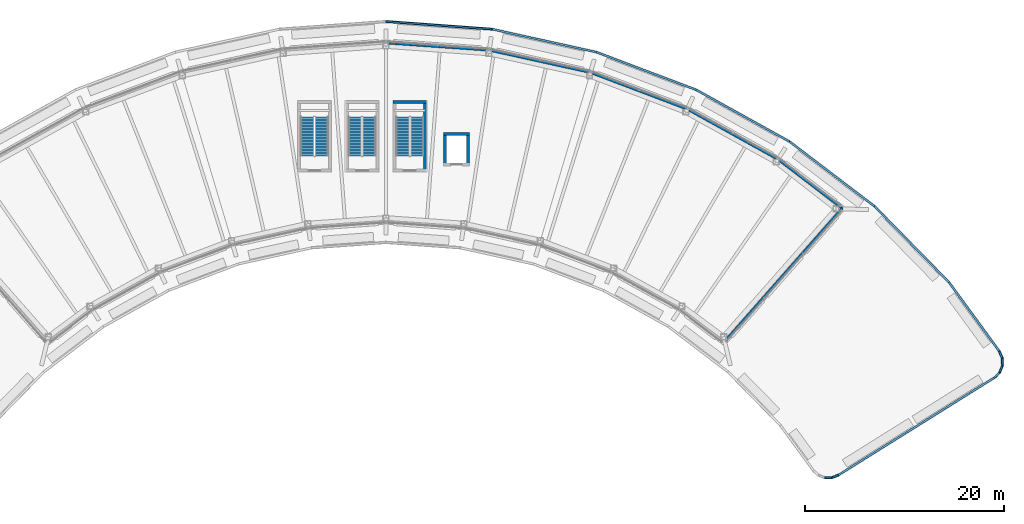
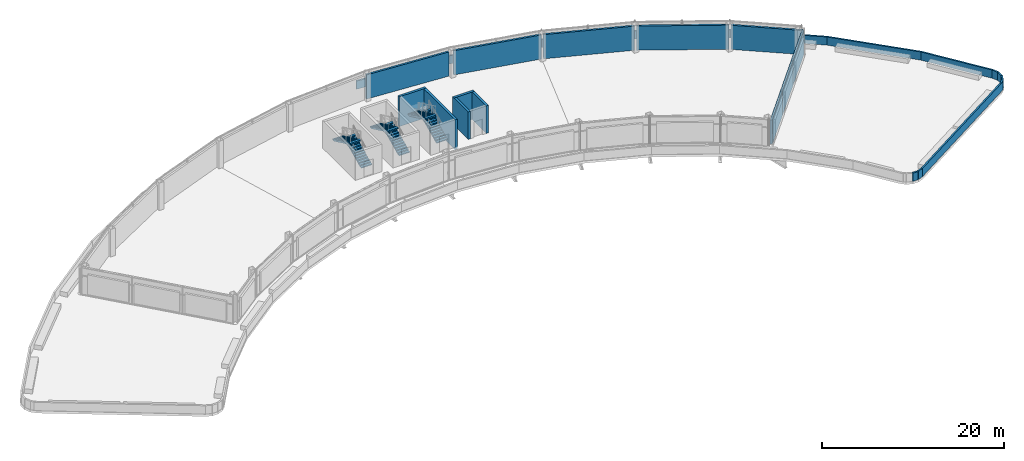
# One storey, part 15 of 17: 27 walls, 6 stair flights, 3 elements without a shape of their own.
"""IFC4 building model written with IfcOpenShell, lengths in metres."""

import ifcopenshell
import ifcopenshell.guid

model = None  # the IFC model being written
_history = None  # IfcOwnerHistory: only IFC2X3 demands one
_inside = {}  # id of a spatial element -> (the spatial element, [elements in it])
_under = {}  # id of a project, library or spatial element -> (it, [spatial elements below it])
_declared = {}  # id of a project -> (the project, [libraries it declares])
_typed = {}  # id of a type object -> (the type object, [elements of that type])
_made_of = {}  # id of a material, layer set ... -> (it, [elements and type objects made of it])


def new_model(schema):
    """Start an empty IFC model of exactly this schema.

    Asked for "IFC4X3", IfcOpenShell would pick the latest addendum, in which some entities
    have other attributes; the version numbers below select the first issue.
    IFC2X3 requires an IfcOwnerHistory on every rooted entity: one is made here for all.
    """
    global model, _history
    if schema == "IFC4X3":
        model = ifcopenshell.file(schema_version=(4, 3, 0, 0))
    else:
        model = ifcopenshell.file(schema=schema)
    _inside.clear()
    _under.clear()
    _declared.clear()
    _typed.clear()
    _made_of.clear()
    _history = None
    if model.schema == "IFC2X3":
        org = make("IfcOrganization", Name="unknown")
        user = make(
            "IfcPersonAndOrganization",
            ThePerson=make("IfcPerson", FamilyName="unknown"),
            TheOrganization=org,
        )
        app = make(
            "IfcApplication",
            ApplicationDeveloper=org,
            Version="unknown",
            ApplicationFullName="unknown",
            ApplicationIdentifier="unknown",
        )
        _history = make(
            "IfcOwnerHistory",
            OwningUser=user,
            OwningApplication=app,
            ChangeAction="ADDED",
            CreationDate=0,
        )
    return model


def make(cls, **values):
    """One entity of the class cls with the attributes given. An attribute that is None is left unset."""
    return model.create_entity(
        cls, **{name: value for name, value in values.items() if value is not None}
    )


def rooted(cls, **values):
    """An entity with a GlobalId (a new one), such as an element, a storey or a relation."""
    return make(cls, GlobalId=ifcopenshell.guid.new(), OwnerHistory=_history, **values)


def si_unit(unit_type, name, prefix=None):
    """IfcSIUnit, for example si_unit("LENGTHUNIT", "METRE", prefix="MILLI")."""
    return make("IfcSIUnit", UnitType=unit_type, Prefix=prefix, Name=name)


def assignment(units):
    """IfcUnitAssignment: the units of a project."""
    return None if units is None else make("IfcUnitAssignment", Units=units)


def point(xyz):
    """IfcCartesianPoint."""
    return None if xyz is None else make("IfcCartesianPoint", Coordinates=xyz)


def direction(xyz):
    """IfcDirection."""
    return None if xyz is None else make("IfcDirection", DirectionRatios=xyz)


def frame(location, z_axis=None, x_axis=None):
    """IfcAxis2Placement3D, a coordinate frame: its origin and axes. An axis left out is left unset."""
    return make(
        "IfcAxis2Placement3D",
        Location=point(location),
        Axis=direction(z_axis),
        RefDirection=direction(x_axis),
    )


def frame_2d(location, x_axis=None):
    """IfcAxis2Placement2D, a coordinate frame in the plane: its origin and x axis."""
    return make(
        "IfcAxis2Placement2D", Location=point(location), RefDirection=direction(x_axis)
    )


def origin():
    """The frame at (0, 0, 0) with its axes left unset."""
    return frame((0.0, 0.0, 0.0))


def place(relative_to, where):
    """IfcLocalPlacement: puts the frame where relative to a parent placement (None: the world)."""
    return make(
        "IfcLocalPlacement", PlacementRelTo=relative_to, RelativePlacement=where
    )


def context(
    kind, dimensions, precision=None, world=None, true_north=None, identifier=None
):
    """IfcGeometricRepresentationContext, for example the 3D "Model" context."""
    return make(
        "IfcGeometricRepresentationContext",
        ContextIdentifier=identifier,
        ContextType=kind,
        CoordinateSpaceDimension=dimensions,
        Precision=precision,
        WorldCoordinateSystem=world,
        TrueNorth=true_north,
    )


def subcontext(parent, identifier, kind, view, scale=None):
    """IfcGeometricRepresentationSubContext, for example "Body" below "Model"."""
    return make(
        "IfcGeometricRepresentationSubContext",
        ContextIdentifier=identifier,
        ContextType=kind,
        ParentContext=parent,
        TargetScale=scale,
        TargetView=view,
    )


def project(units=None, contexts=None):
    """IfcProject with its units and contexts."""
    return rooted(
        "IfcProject",
        Name="project",
        RepresentationContexts=contexts,
        UnitsInContext=assignment(units),
    )


def spatial(cls, under=None, at=None, **own):
    """A site, building, storey or space (cls), placed at a placement, below another one or the project."""
    s = rooted(cls, ObjectPlacement=at, **own)
    if under is not None:
        _under.setdefault(under.id(), (under, []))[1].append(s)
    return s


def polyline(points):
    """IfcPolyline through the points."""
    return make("IfcPolyline", Points=[point(p) for p in points])


def profile(cls, at=None, kind="AREA", **sizes):
    """A parametric profile (cls). Its sizes go by their IFC names, for example OverallWidth=200.0."""
    return make(cls, ProfileType=kind, Position=at, **sizes)


def rectangle(**sizes):
    """IfcRectangleProfileDef."""
    return profile("IfcRectangleProfileDef", **sizes)


def outline(outer, holes=None, kind="AREA"):
    """IfcArbitraryClosedProfileDef: a profile drawn as a closed curve; with holes, ...WithVoids."""
    if holes is None:
        return make("IfcArbitraryClosedProfileDef", ProfileType=kind, OuterCurve=outer)
    return make(
        "IfcArbitraryProfileDefWithVoids",
        ProfileType=kind,
        OuterCurve=outer,
        InnerCurves=holes,
    )


def extrude(swept, where, along, depth):
    """IfcExtrudedAreaSolid: the profile swept, set in the frame where, extruded along a direction by depth."""
    return make(
        "IfcExtrudedAreaSolid",
        SweptArea=swept,
        Position=where,
        ExtrudedDirection=direction(along),
        Depth=depth,
    )


def shape(context_of_items, identifier, shape_type, items):
    """IfcShapeRepresentation: the items that make up one representation, for example the "Body"."""
    return make(
        "IfcShapeRepresentation",
        ContextOfItems=context_of_items,
        RepresentationIdentifier=identifier,
        RepresentationType=shape_type,
        Items=items,
    )


def material(Name=None, Category=None):
    """IfcMaterial."""
    return make("IfcMaterial", Name=Name, Category=Category)


def layer(
    of_material, thickness, ventilated=None, Name=None, Category=None, Priority=None
):
    """IfcMaterialLayer: one layer of a wall or slab, of a material (None: an air gap)."""
    return make(
        "IfcMaterialLayer",
        Material=of_material,
        LayerThickness=thickness,
        IsVentilated=ventilated,
        Name=Name,
        Category=Category,
        Priority=Priority,
    )


def layer_set(layers, Name=None):
    """IfcMaterialLayerSet."""
    return make("IfcMaterialLayerSet", MaterialLayers=layers, LayerSetName=Name)


def made_of(thing, what):
    """Note that an element or type object is made of a material, layer set ...; save() writes the relation."""
    if what is not None:
        _made_of.setdefault(what.id(), (what, []))[1].append(thing)
    return thing


def type_object(cls, material=None, **own):
    """A type object (cls), such as IfcWallType, which elements share."""
    return made_of(rooted(cls, **own), material)


def element(
    cls,
    number,
    at=None,
    inside=None,
    cuts=None,
    type_object=None,
    material=None,
    context=None,
    identifier="Body",
    shape_type=None,
    held_by="IfcProductDefinitionShape",
    body=None,
    shapes=None,
    **own,
):
    """One element of the class cls, such as IfcWall. Its Tag is "e" and its number.

    at: its placement. inside: the storey or other place that contains it. cuts: it is an
    opening in that element (IfcRelVoidsElement). A single representation is given by context,
    identifier, shape_type and body (its items); several are given by shapes. held_by: the class
    of the entity that holds the representations. save() writes the other relations.
    """
    e = rooted(cls, Tag="e%d" % number, ObjectPlacement=at, **own)
    if body is not None:
        shapes = [shape(context, identifier, shape_type, body)]
    if shapes is not None:
        e.Representation = make(held_by, Representations=shapes)
    if inside is not None:
        _inside.setdefault(inside.id(), (inside, []))[1].append(e)
    if cuts is not None:
        rooted(
            "IfcRelVoidsElement", RelatingBuildingElement=cuts, RelatedOpeningElement=e
        )
    if type_object is not None:
        _typed.setdefault(type_object.id(), (type_object, []))[1].append(e)
    return made_of(e, material)


def aggregate(whole, parts):
    """IfcRelAggregates: a whole, such as a stair, and the parts it consists of."""
    return rooted("IfcRelAggregates", RelatingObject=whole, RelatedObjects=parts)


def save(model, path):
    """Write the relations noted so far, then the file.

    IfcRelAggregates (storeys below a building ...), IfcRelContainedInSpatialStructure (elements
    in a storey), IfcRelDefinesByType, IfcRelAssociatesMaterial and IfcRelDeclares: one each for
    every whole, place, type object, material and project.
    """
    for whole, parts in _under.values():
        aggregate(whole, parts)
    for where, things in _inside.values():
        rooted(
            "IfcRelContainedInSpatialStructure",
            RelatedElements=things,
            RelatingStructure=where,
        )
    for kind, things in _typed.values():
        rooted("IfcRelDefinesByType", RelatedObjects=things, RelatingType=kind)
    for what, things in _made_of.values():
        rooted("IfcRelAssociatesMaterial", RelatedObjects=things, RelatingMaterial=what)
    for by, libraries in _declared.values():
        rooted("IfcRelDeclares", RelatingContext=by, RelatedDefinitions=libraries)
    model.write(path)


model = new_model("IFC4")

# Units and contexts
model_context = context("Model", 3, precision=1e-05, world=origin(), true_north=direction((0.0, 1.0)))
body_context = subcontext(model_context, "Body", "Model", "MODEL_VIEW")
ifc_project = project(units=[si_unit("LENGTHUNIT", "METRE"), si_unit("AREAUNIT", "SQUARE_METRE"), si_unit("VOLUMEUNIT", "CUBIC_METRE"), si_unit("PLANEANGLEUNIT", "RADIAN"), si_unit("MASSUNIT", "GRAM", prefix="KILO")], contexts=[model_context])

# Site, building, storey
site_placement = place(None, origin())
site = spatial("IfcSite", under=ifc_project, at=site_placement, CompositionType="ELEMENT")
building_placement = place(site_placement, origin())
building = spatial("IfcBuilding", under=site, at=building_placement, Name="Tuul Gate Civic Tower", CompositionType="ELEMENT")
storey_placement = place(building_placement, frame((0.0, 0.0, 360.10009765625)))
storey = spatial("IfcBuildingStorey", under=building, at=storey_placement, Name="Crown tier 1 lower", CompositionType="ELEMENT", Elevation=360.10009765625)

# Walls
ifc_material_1 = material(Name="Concrete C50/60", Category="concrete")
ifc_layer_1 = layer(ifc_material_1, 0.300048828125)
ifc_layer_set_1 = layer_set([ifc_layer_1], Name="Concrete C50/60")
wall_type_1 = type_object("IfcWallType", Name="Core wall C50/60", PredefinedType="SHEAR", material=ifc_layer_set_1)
wall_1_placement = place(storey_placement, frame((6.14990234375, -0.89990234375, -0.300048828125), z_axis=(0.0, 0.0, 1.0), x_axis=(0.0, 1.0, 0.0)))
element("IfcWall", 1, at=wall_1_placement, inside=storey, type_object=wall_type_1, Name="Core wall", PredefinedType="SHEAR", context=body_context, shape_type="SweptSolid", body=[
    extrude(rectangle(XDim=7.199951171875, YDim=0.300048828125, at=frame_2d((3.60009765625, 0.0))), origin(), (0.0, 0.0, 1.0), 4.0),
])
wall_2_placement = place(storey_placement, frame((6.300048828125, 6.14990234375, -0.300048828125), z_axis=(0.0, 0.0, 1.0), x_axis=(-1.0, 0.0, 0.0)))
element("IfcWall", 2, at=wall_2_placement, inside=storey, type_object=wall_type_1, Name="Core wall", PredefinedType="SHEAR", context=body_context, shape_type="SweptSolid", body=[
    extrude(rectangle(XDim=3.400146484375, YDim=0.300048828125, at=frame_2d((1.7001953125, 0.0))), origin(), (0.0, 0.0, 1.0), 4.0),
])
for number, where, z_axis, x_axis, name in (
    (3, (10.449951171875, -0.300048828125, 0.0), (0.0, 0.0, 1.0), (0.0, 1.0, 0.0), "Core wall"),
    (4, (8.14990234375, 3.10009765625, 0.0), (0.0, 0.0, 1.0), (0.0, -1.0, 0.0), "Core wall"),
):
    element("IfcWall", number, at=place(storey_placement, frame(where, z_axis=z_axis, x_axis=x_axis)), inside=storey, type_object=wall_type_1, Name=name, PredefinedType="SHEAR", context=body_context, shape_type="SweptSolid", body=[
        extrude(rectangle(XDim=3.400146484375, YDim=0.300048828125, at=frame_2d((1.7001953125, 0.0))), origin(), (0.0, 0.0, 1.0), 3.699951171875),
    ])
wall_3_placement = place(storey_placement, frame((10.60009765625, 2.949951171875, 0.0), z_axis=(0.0, 0.0, 1.0), x_axis=(-1.0, 0.0, 0.0)))
element("IfcWall", 5, at=wall_3_placement, inside=storey, type_object=wall_type_1, Name="Core wall", PredefinedType="SHEAR", context=body_context, shape_type="SweptSolid", body=[
    extrude(rectangle(XDim=2.60009765625, YDim=0.300048828125, at=frame_2d((1.300048828125, 0.0))), origin(), (0.0, 0.0, 1.0), 3.699951171875),
])
ifc_material_2 = material(Name="Concrete C40/50", Category="concrete")
ifc_layer_2 = layer(ifc_material_2, 0.199951171875)
ifc_layer_set_2 = layer_set([ifc_layer_2], Name="Concrete C40/50")
wall_type_2 = type_object("IfcWallType", Name="Crown parapet", PredefinedType="PARAPET", material=ifc_layer_set_2)
wall_4_placement = place(storey_placement, frame((47.75048828125, -31.42529296875, 0.0), z_axis=(0.0, 0.0, 1.0), x_axis=(0.848053418798, 0.529910746131, 0.0)))
element("IfcWall", 6, at=wall_4_placement, inside=storey, type_object=wall_type_2, Name="Parapet", PredefinedType="PARAPET", context=body_context, shape_type="SweptSolid", body=[
    extrude(rectangle(XDim=18.91162109375, YDim=0.199951171875, at=frame_2d((9.455810546875, 0.0))), origin(), (0.0, 0.0, 1.0), 1.099853515625),
])
wall_5_placement = place(storey_placement, frame((63.455322265625, -21.612060546875, 0.0), z_axis=(0.0, 0.0, 1.0), x_axis=(0.722338380807, 0.691539777318, 0.0)))
element("IfcWall", 7, at=wall_5_placement, inside=storey, type_object=wall_type_2, Name="Parapet", PredefinedType="PARAPET", context=body_context, shape_type="SweptSolid", body=[
    extrude(rectangle(XDim=0.768798828125, YDim=0.199951171875, at=frame_2d((0.38427734375, 0.0))), origin(), (0.0, 0.0, 1.0), 1.099853515625),
])
wall_6_placement = place(storey_placement, frame((64.0107421875, -21.080322265625, 0.0), z_axis=(0.0, 0.0, 1.0), x_axis=(0.385811143559, 0.922577780735, 0.0)))
element("IfcWall", 8, at=wall_6_placement, inside=storey, type_object=wall_type_2, Name="Parapet", PredefinedType="PARAPET", context=body_context, shape_type="SweptSolid", body=[
    extrude(rectangle(XDim=0.753662109375, YDim=0.199951171875, at=frame_2d((0.376953125, 0.0))), origin(), (0.0, 0.0, 1.0), 1.099853515625),
])
wall_7_placement = place(storey_placement, frame((64.301513671875, -20.385009765625, 0.0), z_axis=(0.0, 0.0, 1.0), x_axis=(-0.014580433083, 0.999893699836, 0.0)))
element("IfcWall", 9, at=wall_7_placement, inside=storey, type_object=wall_type_2, Name="Parapet", PredefinedType="PARAPET", context=body_context, shape_type="SweptSolid", body=[
    extrude(rectangle(XDim=0.75341796875, YDim=0.199951171875, at=frame_2d((0.376708984375, 0.0))), origin(), (0.0, 0.0, 1.0), 1.099853515625),
])
wall_8_placement = place(storey_placement, frame((64.29052734375, -19.631591796875, 0.0), z_axis=(0.0, 0.0, 1.0), x_axis=(-0.413133445504, 0.910670498153, 0.0)))
element("IfcWall", 10, at=wall_8_placement, inside=storey, type_object=wall_type_2, Name="Parapet", PredefinedType="PARAPET", context=body_context, shape_type="SweptSolid", body=[
    extrude(rectangle(XDim=0.76953125, YDim=0.199951171875, at=frame_2d((0.384765625, 0.0))), origin(), (0.0, 0.0, 1.0), 1.099853515625),
])
wall_9_placement = place(storey_placement, frame((63.97265625, -18.930908203125, 0.0), z_axis=(0.0, 0.0, 1.0), x_axis=(-0.589779901118, 0.807564033521, 0.0)))
element("IfcWall", 11, at=wall_9_placement, inside=storey, type_object=wall_type_2, Name="Parapet", PredefinedType="PARAPET", context=body_context, shape_type="SweptSolid", body=[
    extrude(rectangle(XDim=8.5869140625, YDim=0.199951171875, at=frame_2d((4.29345703125, 0.0))), origin(), (0.0, 0.0, 1.0), 1.099853515625),
])
wall_10_placement = place(storey_placement, frame((58.908203125, -11.996337890625, 0.0), z_axis=(0.0, 0.0, 1.0), x_axis=(-0.700003468403, 0.714139443123, 0.0)))
element("IfcWall", 12, at=wall_10_placement, inside=storey, type_object=wall_type_2, Name="Parapet", PredefinedType="PARAPET", context=body_context, shape_type="SweptSolid", body=[
    extrude(rectangle(XDim=10.742431640625, YDim=0.199951171875, at=frame_2d((5.37109375, 0.0))), origin(), (0.0, 0.0, 1.0), 1.099853515625),
])
wall_11_placement = place(storey_placement, frame((51.388427734375, -4.32470703125, 0.0), z_axis=(0.0, 0.0, 1.0), x_axis=(-0.795640342623, 0.605769300304, 0.0)))
element("IfcWall", 13, at=wall_11_placement, inside=storey, type_object=wall_type_2, Name="Parapet", PredefinedType="PARAPET", context=body_context, shape_type="SweptSolid", body=[
    extrude(rectangle(XDim=10.7431640625, YDim=0.199951171875, at=frame_2d((5.37158203125, 0.0))), origin(), (0.0, 0.0, 1.0), 1.099853515625),
])
wall_12_placement = place(storey_placement, frame((42.8408203125, 2.18310546875, 0.0), z_axis=(0.0, 0.0, 1.0), x_axis=(-0.874590032694, 0.484863150499, 0.0)))
element("IfcWall", 14, at=wall_12_placement, inside=storey, type_object=wall_type_2, Name="Parapet", PredefinedType="PARAPET", context=body_context, shape_type="SweptSolid", body=[
    extrude(rectangle(XDim=10.7421875, YDim=0.199951171875, at=frame_2d((5.37109375, 0.0))), origin(), (0.0, 0.0, 1.0), 1.099853515625),
])
wall_13_placement = place(storey_placement, frame((33.44580078125, 7.3916015625, 0.0), z_axis=(0.0, 0.0, 1.0), x_axis=(-0.935374053612, 0.353659977704, 0.0)))
element("IfcWall", 15, at=wall_13_placement, inside=storey, type_object=wall_type_2, Name="Parapet", PredefinedType="PARAPET", context=body_context, shape_type="SweptSolid", body=[
    extrude(rectangle(XDim=10.742919921875, YDim=0.199951171875, at=frame_2d((5.37158203125, 0.0))), origin(), (0.0, 0.0, 1.0), 1.099853515625),
])
wall_14_placement = place(storey_placement, frame((23.397216796875, 11.19091796875, 0.0), z_axis=(0.0, 0.0, 1.0), x_axis=(-0.976561510253, 0.215238511173, 0.0)))
element("IfcWall", 16, at=wall_14_placement, inside=storey, type_object=wall_type_2, Name="Parapet", PredefinedType="PARAPET", context=body_context, shape_type="SweptSolid", body=[
    extrude(rectangle(XDim=10.74267578125, YDim=0.199951171875, at=frame_2d((5.371337890625, 0.0))), origin(), (0.0, 0.0, 1.0), 1.099853515625),
])
wall_15_placement = place(storey_placement, frame((12.90625, 13.503173828125, 0.0), z_axis=(0.0, 0.0, 1.0), x_axis=(-0.997391582101, 0.072180551081, 0.0)))
element("IfcWall", 17, at=wall_15_placement, inside=storey, type_object=wall_type_2, Name="Parapet", PredefinedType="PARAPET", context=body_context, shape_type="SweptSolid", body=[
    extrude(rectangle(XDim=10.742431640625, YDim=0.199951171875, at=frame_2d((5.37109375, 0.0))), origin(), (0.0, 0.0, 1.0), 1.099853515625),
])
wall_16_placement = place(storey_placement, frame((46.407958984375, -31.677978515625, 0.0), z_axis=(0.0, 0.0, 1.0), x_axis=(0.999995970368, -0.002838881392, 0.0)))
element("IfcWall", 18, at=wall_16_placement, inside=storey, type_object=wall_type_2, Name="Parapet", PredefinedType="PARAPET", context=body_context, shape_type="SweptSolid", body=[
    extrude(rectangle(XDim=0.68798828125, YDim=0.199951171875, at=frame_2d((0.343994140625, 0.0))), origin(), (0.0, 0.0, 1.0), 1.099853515625),
])
wall_17_placement = place(storey_placement, frame((47.095947265625, -31.679931640625, 0.0), z_axis=(0.0, 0.0, 1.0), x_axis=(0.931958998747, 0.362563683586, 0.0)))
element("IfcWall", 19, at=wall_17_placement, inside=storey, type_object=wall_type_2, Name="Parapet", PredefinedType="PARAPET", context=body_context, shape_type="SweptSolid", body=[
    extrude(rectangle(XDim=0.702392578125, YDim=0.199951171875, at=frame_2d((0.35107421875, 0.0))), origin(), (0.0, 0.0, 1.0), 1.099853515625),
])
ifc_material_3 = material(Name="Precast concrete C40/50", Category="concrete")
ifc_layer_3 = layer(ifc_material_3, 0.25)
ifc_layer_set_3 = layer_set([ifc_layer_3], Name="Precast concrete C40/50")
wall_type_3 = type_object("IfcWallType", Name="External wall", PredefinedType="STANDARD", material=ifc_layer_set_3)
wall_18_placement = place(storey_placement, frame((48.163818359375, -4.540283203125, 0.0), z_axis=(0.0, 0.0, 1.0), x_axis=(-0.795621506861, 0.605794039109, 0.0)))
element("IfcWall", 20, at=wall_18_placement, inside=storey, type_object=wall_type_3, Name="External wall", PredefinedType="STANDARD", context=body_context, shape_type="SweptSolid", body=[
    extrude(rectangle(XDim=8.0009765625, YDim=0.25, at=frame_2d((4.00048828125, 0.0))), origin(), (0.0, 0.0, 1.0), 3.25),
])
wall_19_placement = place(storey_placement, frame((41.6279296875, 0.426025390625, 0.0), z_axis=(0.0, 0.0, 1.0), x_axis=(-0.874631379668, 0.484788561849, 0.0)))
element("IfcWall", 21, at=wall_19_placement, inside=storey, type_object=wall_type_3, Name="External wall", PredefinedType="STANDARD", context=body_context, shape_type="SweptSolid", body=[
    extrude(rectangle(XDim=10.19287109375, YDim=0.25, at=frame_2d((5.096435546875, 0.0))), origin(), (0.0, 0.0, 1.0), 3.25),
])
wall_20_placement = place(storey_placement, frame((32.501708984375, 5.476318359375, 0.0), z_axis=(0.0, 0.0, 1.0), x_axis=(-0.935362965706, 0.353689302051, 0.0)))
element("IfcWall", 22, at=wall_20_placement, inside=storey, type_object=wall_type_3, Name="External wall", PredefinedType="STANDARD", context=body_context, shape_type="SweptSolid", body=[
    extrude(rectangle(XDim=10.161376953125, YDim=0.25, at=frame_2d((5.08056640625, 0.0))), origin(), (0.0, 0.0, 1.0), 3.25),
])
wall_21_placement = place(storey_placement, frame((22.739501953125, 9.159912109375, 0.0), z_axis=(0.0, 0.0, 1.0), x_axis=(-0.976557253487, 0.215257823696, 0.0)))
element("IfcWall", 23, at=wall_21_placement, inside=storey, type_object=wall_type_3, Name="External wall", PredefinedType="STANDARD", context=body_context, shape_type="SweptSolid", body=[
    extrude(rectangle(XDim=10.124755859375, YDim=0.25, at=frame_2d((5.0625, 0.0))), origin(), (0.0, 0.0, 1.0), 3.25),
])
wall_22_placement = place(storey_placement, frame((12.25537109375, 11.419921875, 0.0), z_axis=(0.0, 0.0, 1.0), x_axis=(-0.997546138444, 0.070012153773, 0.0)))
element("IfcWall", 24, at=wall_22_placement, inside=storey, type_object=wall_type_3, Name="External wall", PredefinedType="STANDARD", context=body_context, shape_type="SweptSolid", body=[
    extrude(rectangle(XDim=10.088134765625, YDim=0.25, at=frame_2d((5.0439453125, 0.0))), origin(), (0.0, 0.0, 1.0), 3.25),
])
wall_23_placement = place(storey_placement, frame((36.5009765625, -17.756103515625, 0.0), z_axis=(0.0, 0.0, 1.0), x_axis=(0.661694213402, 0.749773811193, 0.0)))
element("IfcWall", 25, at=wall_23_placement, inside=storey, type_object=wall_type_3, Name="External wall", PredefinedType="STANDARD", context=body_context, shape_type="SweptSolid", body=[
    extrude(rectangle(XDim=5.673828125, YDim=0.25, at=frame_2d((2.8369140625, 0.0))), origin(), (0.0, 0.0, 1.0), 3.25),
])
wall_24_placement = place(storey_placement, frame((40.25537109375, -13.501953125, 0.0), z_axis=(0.0, 0.0, 1.0), x_axis=(0.661651837628, 0.749811206747, 0.0)))
element("IfcWall", 26, at=wall_24_placement, inside=storey, type_object=wall_type_3, Name="External wall", PredefinedType="STANDARD", context=body_context, shape_type="SweptSolid", body=[
    extrude(rectangle(XDim=5.882080078125, YDim=0.25, at=frame_2d((2.94091796875, 0.0))), origin(), (0.0, 0.0, 1.0), 3.25),
])
wall_25_placement = place(storey_placement, frame((44.147216796875, -9.091552734375, 0.0), z_axis=(0.0, 0.0, 1.0), x_axis=(0.661693466009, 0.749774470785, 0.0)))
element("IfcWall", 27, at=wall_25_placement, inside=storey, type_object=wall_type_3, Name="External wall", PredefinedType="STANDARD", context=body_context, shape_type="SweptSolid", body=[
    extrude(rectangle(XDim=6.070068359375, YDim=0.25, at=frame_2d((3.03515625, 0.0))), origin(), (0.0, 0.0, 1.0), 3.25),
])

# Stair, stair flights
ifc_material_4 = material(Name="Concrete C40/50", Category="concrete")
stair_type = type_object("IfcStairType", Name="Exit stair", PredefinedType="HALF_TURN_STAIR", material=ifc_material_4)
stair_1_placement = place(storey_placement, origin())
stair_1 = element("IfcStair", 28, at=stair_1_placement, inside=storey, type_object=stair_type, Name="Crown tier 1 lower ST-5", PredefinedType="HALF_TURN_STAIR")
ifc_material_5 = material(Name="Concrete C40/50", Category="concrete")
stair_flight_type = type_object("IfcStairFlightType", Name="Exit stair flight", PredefinedType="STRAIGHT", material=ifc_material_5)
stair_flight_1_placement = place(storey_placement, frame((-4.27490234375, 0.75, 0.0), z_axis=(0.0, 0.0, 1.0), x_axis=(0.0, 1.0, 0.0)))
stair_flight_1 = element("IfcStairFlight", 29, at=stair_flight_1_placement, type_object=stair_flight_type, Name="ST-5 flight 1", NumberOfRisers=14, NumberOfTreads=13, PredefinedType="STRAIGHT", RiserHeight=0.142857143, TreadLength=0.3, context=body_context, shape_type="SweptSolid", body=[
    extrude(outline(polyline([(0.0, 0.0), (0.0, 0.142822265625), (0.300048828125, 0.142822265625), (0.300048828125, 0.28564453125), (0.60009765625, 0.28564453125), (0.60009765625, 0.428466796875), (0.89990234375, 0.428466796875), (0.89990234375, 0.571533203125), (1.199951171875, 0.571533203125), (1.199951171875, 0.71435546875), (1.5, 0.71435546875), (1.5, 0.857177734375), (1.800048828125, 0.857177734375), (1.800048828125, 1.0), (2.10009765625, 1.0), (2.10009765625, 1.142822265625), (2.39990234375, 1.142822265625), (2.39990234375, 1.28564453125), (2.699951171875, 1.28564453125), (2.699951171875, 1.428466796875), (3.0, 1.428466796875), (3.0, 1.571533203125), (3.300048828125, 1.571533203125), (3.300048828125, 1.71435546875), (3.60009765625, 1.71435546875), (3.60009765625, 1.857177734375), (3.89990234375, 1.857177734375), (3.89990234375, 2.0), (3.89990234375, 1.691162109375), (0.3486328125, 0.0), (0.0, 0.0)])), frame((0.0, 0.675048828125, 0.0), z_axis=(0.0, -1.0, 0.0), x_axis=(1.0, 0.0, 0.0)), (0.0, 0.0, 1.0), 1.35009765625),
])
stair_flight_2_placement = place(storey_placement, frame((-5.72509765625, 4.64990234375, 2.0), z_axis=(0.0, 0.0, 1.0), x_axis=(0.0, -1.0, 0.0)))
stair_flight_2 = element("IfcStairFlight", 30, at=stair_flight_2_placement, type_object=stair_flight_type, Name="ST-5 flight 2", NumberOfRisers=14, NumberOfTreads=13, PredefinedType="STRAIGHT", RiserHeight=0.142857143, TreadLength=0.3, context=body_context, shape_type="SweptSolid", body=[
    extrude(outline(polyline([(0.0, 0.0), (0.0, 0.142822265625), (0.300048828125, 0.142822265625), (0.300048828125, 0.28564453125), (0.60009765625, 0.28564453125), (0.60009765625, 0.428466796875), (0.89990234375, 0.428466796875), (0.89990234375, 0.571533203125), (1.199951171875, 0.571533203125), (1.199951171875, 0.71435546875), (1.5, 0.71435546875), (1.5, 0.857177734375), (1.800048828125, 0.857177734375), (1.800048828125, 1.0), (2.10009765625, 1.0), (2.10009765625, 1.142822265625), (2.39990234375, 1.142822265625), (2.39990234375, 1.28564453125), (2.699951171875, 1.28564453125), (2.699951171875, 1.428466796875), (3.0, 1.428466796875), (3.0, 1.571533203125), (3.300048828125, 1.571533203125), (3.300048828125, 1.71435546875), (3.60009765625, 1.71435546875), (3.60009765625, 1.857177734375), (3.89990234375, 1.857177734375), (3.89990234375, 2.0), (3.89990234375, 1.691162109375), (0.3486328125, 0.0), (0.0, 0.0)])), frame((0.0, 0.675048828125, 0.0), z_axis=(0.0, -1.0, 0.0), x_axis=(1.0, 0.0, 0.0)), (0.0, 0.0, 1.0), 1.35009765625),
])
aggregate(stair_1, [stair_flight_1, stair_flight_2])

stair_2_placement = place(storey_placement, origin())
stair_2 = element("IfcStair", 31, at=stair_2_placement, inside=storey, type_object=stair_type, Name="Crown tier 1 lower ST-6", PredefinedType="HALF_TURN_STAIR")
stair_flight_3_placement = place(storey_placement, frame((0.52490234375, 0.75, 0.0), z_axis=(0.0, 0.0, 1.0), x_axis=(0.0, 1.0, 0.0)))
stair_flight_3 = element("IfcStairFlight", 32, at=stair_flight_3_placement, type_object=stair_flight_type, Name="ST-6 flight 1", NumberOfRisers=14, NumberOfTreads=13, PredefinedType="STRAIGHT", RiserHeight=0.142857143, TreadLength=0.3, context=body_context, shape_type="SweptSolid", body=[
    extrude(outline(polyline([(0.0, 0.0), (0.0, 0.142822265625), (0.300048828125, 0.142822265625), (0.300048828125, 0.28564453125), (0.60009765625, 0.28564453125), (0.60009765625, 0.428466796875), (0.89990234375, 0.428466796875), (0.89990234375, 0.571533203125), (1.199951171875, 0.571533203125), (1.199951171875, 0.71435546875), (1.5, 0.71435546875), (1.5, 0.857177734375), (1.800048828125, 0.857177734375), (1.800048828125, 1.0), (2.10009765625, 1.0), (2.10009765625, 1.142822265625), (2.39990234375, 1.142822265625), (2.39990234375, 1.28564453125), (2.699951171875, 1.28564453125), (2.699951171875, 1.428466796875), (3.0, 1.428466796875), (3.0, 1.571533203125), (3.300048828125, 1.571533203125), (3.300048828125, 1.71435546875), (3.60009765625, 1.71435546875), (3.60009765625, 1.857177734375), (3.89990234375, 1.857177734375), (3.89990234375, 2.0), (3.89990234375, 1.691162109375), (0.3486328125, 0.0), (0.0, 0.0)])), frame((0.0, 0.675048828125, 0.0), z_axis=(0.0, -1.0, 0.0), x_axis=(1.0, 0.0, 0.0)), (0.0, 0.0, 1.0), 1.35009765625),
])
stair_flight_4_placement = place(storey_placement, frame((-0.925048828125, 4.64990234375, 2.0), z_axis=(0.0, 0.0, 1.0), x_axis=(0.0, -1.0, 0.0)))
stair_flight_4 = element("IfcStairFlight", 33, at=stair_flight_4_placement, type_object=stair_flight_type, Name="ST-6 flight 2", NumberOfRisers=14, NumberOfTreads=13, PredefinedType="STRAIGHT", RiserHeight=0.142857143, TreadLength=0.3, context=body_context, shape_type="SweptSolid", body=[
    extrude(outline(polyline([(0.0, 0.0), (0.0, 0.142822265625), (0.300048828125, 0.142822265625), (0.300048828125, 0.28564453125), (0.60009765625, 0.28564453125), (0.60009765625, 0.428466796875), (0.89990234375, 0.428466796875), (0.89990234375, 0.571533203125), (1.199951171875, 0.571533203125), (1.199951171875, 0.71435546875), (1.5, 0.71435546875), (1.5, 0.857177734375), (1.800048828125, 0.857177734375), (1.800048828125, 1.0), (2.10009765625, 1.0), (2.10009765625, 1.142822265625), (2.39990234375, 1.142822265625), (2.39990234375, 1.28564453125), (2.699951171875, 1.28564453125), (2.699951171875, 1.428466796875), (3.0, 1.428466796875), (3.0, 1.571533203125), (3.300048828125, 1.571533203125), (3.300048828125, 1.71435546875), (3.60009765625, 1.71435546875), (3.60009765625, 1.857177734375), (3.89990234375, 1.857177734375), (3.89990234375, 2.0), (3.89990234375, 1.691162109375), (0.3486328125, 0.0), (0.0, 0.0)])), frame((0.0, 0.675048828125, 0.0), z_axis=(0.0, -1.0, 0.0), x_axis=(1.0, 0.0, 0.0)), (0.0, 0.0, 1.0), 1.35009765625),
])
aggregate(stair_2, [stair_flight_3, stair_flight_4])

stair_3_placement = place(storey_placement, origin())
stair_3 = element("IfcStair", 34, at=stair_3_placement, inside=storey, type_object=stair_type, Name="Crown tier 1 lower ST-7", PredefinedType="HALF_TURN_STAIR")
stair_flight_5_placement = place(storey_placement, frame((5.324951171875, 0.75, 0.0), z_axis=(0.0, 0.0, 1.0), x_axis=(0.0, 1.0, 0.0)))
stair_flight_5 = element("IfcStairFlight", 35, at=stair_flight_5_placement, type_object=stair_flight_type, Name="ST-7 flight 1", NumberOfRisers=14, NumberOfTreads=13, PredefinedType="STRAIGHT", RiserHeight=0.142857143, TreadLength=0.3, context=body_context, shape_type="SweptSolid", body=[
    extrude(outline(polyline([(0.0, 0.0), (0.0, 0.142822265625), (0.300048828125, 0.142822265625), (0.300048828125, 0.28564453125), (0.60009765625, 0.28564453125), (0.60009765625, 0.428466796875), (0.89990234375, 0.428466796875), (0.89990234375, 0.571533203125), (1.199951171875, 0.571533203125), (1.199951171875, 0.71435546875), (1.5, 0.71435546875), (1.5, 0.857177734375), (1.800048828125, 0.857177734375), (1.800048828125, 1.0), (2.10009765625, 1.0), (2.10009765625, 1.142822265625), (2.39990234375, 1.142822265625), (2.39990234375, 1.28564453125), (2.699951171875, 1.28564453125), (2.699951171875, 1.428466796875), (3.0, 1.428466796875), (3.0, 1.571533203125), (3.300048828125, 1.571533203125), (3.300048828125, 1.71435546875), (3.60009765625, 1.71435546875), (3.60009765625, 1.857177734375), (3.89990234375, 1.857177734375), (3.89990234375, 2.0), (3.89990234375, 1.691162109375), (0.3486328125, 0.0), (0.0, 0.0)])), frame((0.0, 0.675048828125, 0.0), z_axis=(0.0, -1.0, 0.0), x_axis=(1.0, 0.0, 0.0)), (0.0, 0.0, 1.0), 1.35009765625),
])
stair_flight_6_placement = place(storey_placement, frame((3.875, 4.64990234375, 2.0), z_axis=(0.0, 0.0, 1.0), x_axis=(0.0, -1.0, 0.0)))
stair_flight_6 = element("IfcStairFlight", 36, at=stair_flight_6_placement, type_object=stair_flight_type, Name="ST-7 flight 2", NumberOfRisers=14, NumberOfTreads=13, PredefinedType="STRAIGHT", RiserHeight=0.142857143, TreadLength=0.3, context=body_context, shape_type="SweptSolid", body=[
    extrude(outline(polyline([(0.0, 0.0), (0.0, 0.142822265625), (0.300048828125, 0.142822265625), (0.300048828125, 0.28564453125), (0.60009765625, 0.28564453125), (0.60009765625, 0.428466796875), (0.89990234375, 0.428466796875), (0.89990234375, 0.571533203125), (1.199951171875, 0.571533203125), (1.199951171875, 0.71435546875), (1.5, 0.71435546875), (1.5, 0.857177734375), (1.800048828125, 0.857177734375), (1.800048828125, 1.0), (2.10009765625, 1.0), (2.10009765625, 1.142822265625), (2.39990234375, 1.142822265625), (2.39990234375, 1.28564453125), (2.699951171875, 1.28564453125), (2.699951171875, 1.428466796875), (3.0, 1.428466796875), (3.0, 1.571533203125), (3.300048828125, 1.571533203125), (3.300048828125, 1.71435546875), (3.60009765625, 1.71435546875), (3.60009765625, 1.857177734375), (3.89990234375, 1.857177734375), (3.89990234375, 2.0), (3.89990234375, 1.691162109375), (0.3486328125, 0.0), (0.0, 0.0)])), frame((0.0, 0.675048828125, 0.0), z_axis=(0.0, -1.0, 0.0), x_axis=(1.0, 0.0, 0.0)), (0.0, 0.0, 1.0), 1.35009765625),
])
aggregate(stair_3, [stair_flight_5, stair_flight_6])

save(model, "model.ifc")
